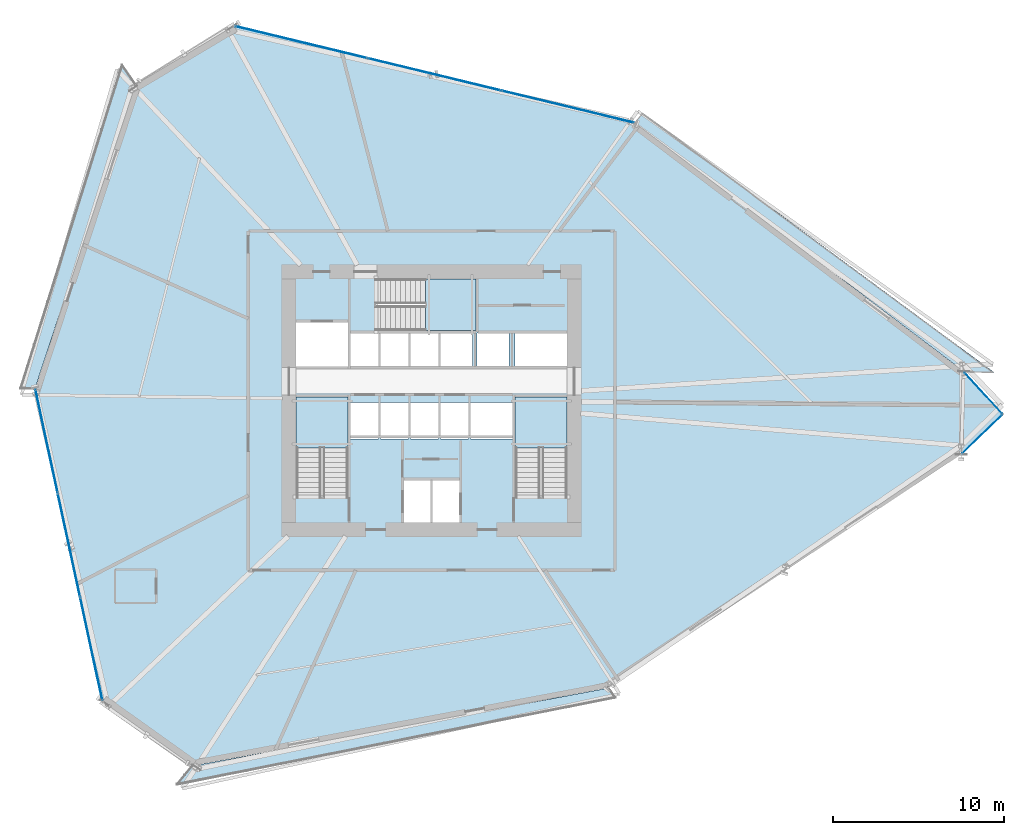
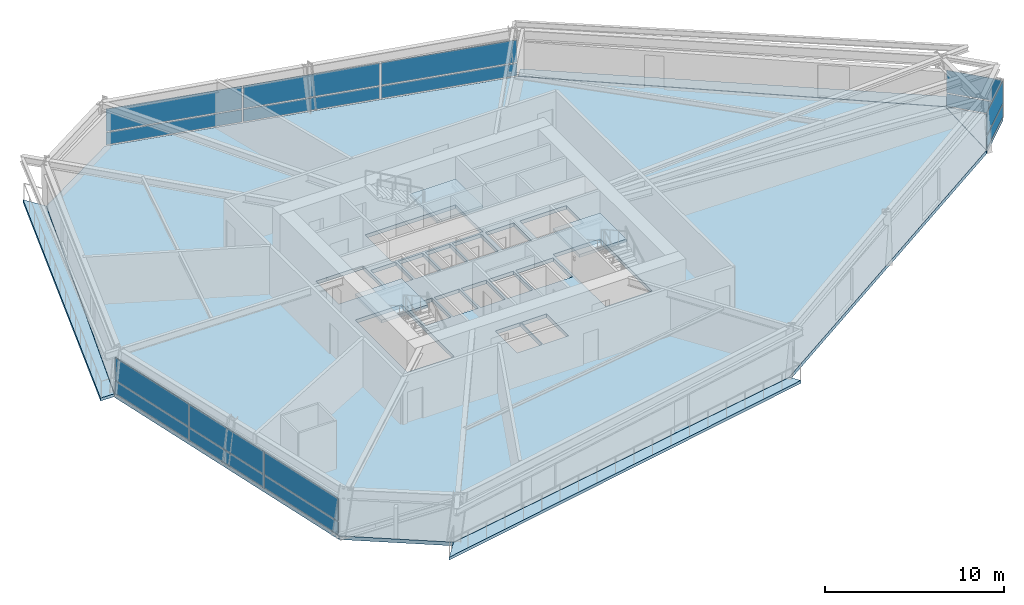
# One storey, part 14 of 24: 16 plates, 8 slabs, 7 elements without a shape of their own.
"""IFC4 building model written with IfcOpenShell, lengths in metres."""

from ifc_helpers import new_model, si_unit, direction, frame, origin, origin_2d, place, context, subcontext, project, spatial, polyline, rectangle, outline, extrude, source, transform, mapped, material, layer, layer_set, type_object, element, aggregate, save


model = new_model("IFC4")

# Units and contexts
model_context = context("Model", 3, precision=1e-05, world=origin(), true_north=direction((0.0, 1.0)))
body_context = subcontext(model_context, "Body", "Model", "MODEL_VIEW")
ifc_project = project(units=[si_unit("LENGTHUNIT", "METRE"), si_unit("AREAUNIT", "SQUARE_METRE"), si_unit("VOLUMEUNIT", "CUBIC_METRE"), si_unit("PLANEANGLEUNIT", "RADIAN"), si_unit("MASSUNIT", "GRAM", prefix="KILO")], contexts=[model_context])

# Site, building, storey
site_placement = place(None, origin())
site = spatial("IfcSite", under=ifc_project, at=site_placement, CompositionType="ELEMENT")
building_placement = place(site_placement, origin())
building = spatial("IfcBuilding", under=site, at=building_placement, Name="Olszyna Solenne Hotel", CompositionType="ELEMENT")
storey_placement = place(building_placement, frame((0.0, 0.0, 29.300048828125)))
storey = spatial("IfcBuildingStorey", under=building, at=storey_placement, Name="L06", CompositionType="ELEMENT", Elevation=29.300048828125)

# Stair, slab
ifc_material_1 = material(Name="Concrete C40/50", Category="concrete")
stair_type = type_object("IfcStairType", Name="STR-C1", PredefinedType="TWO_QUARTER_WINDING_STAIR", material=ifc_material_1)
stair_1_placement = place(storey_placement, origin())
stair_1 = element("IfcStair", 1, at=stair_1_placement, inside=storey, type_object=stair_type, Name="L06 ST1", PredefinedType="TWO_QUARTER_WINDING_STAIR")
ifc_layer_1 = layer(ifc_material_1, 0.18994140625, Name="Concrete C40/50")
ifc_layer_set_1 = layer_set([ifc_layer_1], Name="Concrete C40/50")
slab_type_1 = type_object("IfcSlabType", Name="SL-LN190", PredefinedType="LANDING", material=ifc_layer_set_1)
slab_1_placement = place(storey_placement, frame((0.0, 0.0, 1.574951171875)))
slab_1 = element("IfcSlab", 2, at=slab_1_placement, type_object=slab_type_1, Name="ST1 landing 1", PredefinedType="LANDING", context=body_context, shape_type="SweptSolid", body=[
    extrude(outline(polyline([(33.1201171875, 23.85009765625), (33.1201171875, 26.800048828125), (30.10009765625, 26.800048828125), (30.10009765625, 23.85009765625), (33.1201171875, 23.85009765625)])), origin(), (0.0, 0.0, 1.0), 0.199951171875),
])
aggregate(stair_1, [slab_1])

stair_2_placement = place(storey_placement, origin())
stair_2 = element("IfcStair", 3, at=stair_2_placement, inside=storey, type_object=stair_type, Name="L06 ST2", PredefinedType="TWO_QUARTER_WINDING_STAIR")
slab_2_placement = place(storey_placement, frame((0.0, 0.0, 1.574951171875)))
slab_2 = element("IfcSlab", 4, at=slab_2_placement, type_object=slab_type_1, Name="ST2 landing 1", PredefinedType="LANDING", context=body_context, shape_type="SweptSolid", body=[
    extrude(outline(polyline([(45.89990234375, 23.85009765625), (45.89990234375, 26.800048828125), (42.8798828125, 26.800048828125), (42.8798828125, 23.85009765625), (45.89990234375, 23.85009765625)])), origin(), (0.0, 0.0, 1.0), 0.199951171875),
])
aggregate(stair_2, [slab_2])

stair_3_placement = place(storey_placement, origin())
stair_3 = element("IfcStair", 5, at=stair_3_placement, inside=storey, type_object=stair_type, Name="L06 ST3", PredefinedType="TWO_QUARTER_WINDING_STAIR")
slab_3_placement = place(storey_placement, frame((0.0, 0.0, 1.574951171875)))
slab_3 = element("IfcSlab", 6, at=slab_3_placement, type_object=slab_type_1, Name="ST3 landing 1", PredefinedType="LANDING", context=body_context, shape_type="SweptSolid", body=[
    extrude(outline(polyline([(37.6298828125, 30.679931640625), (40.580078125, 30.679931640625), (40.580078125, 33.699951171875), (37.6298828125, 33.699951171875), (37.6298828125, 30.679931640625)])), origin(), (0.0, 0.0, 1.0), 0.199951171875),
])
aggregate(stair_3, [slab_3])

# Slabs
ifc_material_2 = material(Name="Precast concrete C45/55", Category="concrete")
ifc_layer_2 = layer(ifc_material_2, 0.199951171875, Name="Precast concrete C45/55")
ifc_layer_set_2 = layer_set([ifc_layer_2], Name="Precast concrete C45/55")
slab_type_2 = type_object("IfcSlabType", Name="SL-LOG200", PredefinedType="FLOOR", material=ifc_layer_set_2)
slab_4_placement = place(storey_placement, frame((0.0, 0.0, -0.199951171875)))
element("IfcSlab", 7, at=slab_4_placement, inside=storey, type_object=slab_type_2, Name="Exterior loggia balcony slab SL-L06-LG1", PredefinedType="FLOOR", context=body_context, shape_type="SweptSolid", body=[
    extrude(outline(polyline([(49.8642578125, 42.81689453125), (69.058837890625, 28.302734375), (69.059814453125, 28.302001953125), (69.060791015625, 28.301025390625), (69.070556640625, 28.290283203125), (70.830322265625, 28.247802734375), (50.330810546875, 43.380126953125), (49.8642578125, 42.81689453125)])), origin(), (0.0, 0.0, 1.0), 0.199951171875),
])
slab_5_placement = place(storey_placement, frame((0.0, 0.0, -0.199951171875)))
element("IfcSlab", 8, at=slab_5_placement, inside=storey, type_object=slab_type_2, Name="Exterior loggia balcony slab SL-L06-LG2", PredefinedType="FLOOR", context=body_context, shape_type="SweptSolid", body=[
    extrude(outline(polyline([(14.855712890625, 27.2998046875), (14.85595703125, 27.301025390625), (14.856201171875, 27.302734375), (14.856689453125, 27.30419921875), (20.70849609375, 45.044921875), (20.708984375, 45.04638671875), (20.709716796875, 45.0478515625), (20.71044921875, 45.049072265625), (20.71142578125, 45.05029296875), (20.71240234375, 45.051513671875), (20.713623046875, 45.05224609375), (20.714111328125, 45.052490234375), (19.894775390625, 46.23291015625), (13.980712890625, 27.32080078125), (14.855712890625, 27.2998046875)])), origin(), (0.0, 0.0, 1.0), 0.199951171875),
])
slab_6_placement = place(storey_placement, frame((0.0, 0.0, -0.199951171875)))
element("IfcSlab", 9, at=slab_6_placement, inside=storey, type_object=slab_type_2, Name="Exterior loggia balcony slab SL-L06-LG3", PredefinedType="FLOOR", context=body_context, shape_type="SweptSolid", body=[
    extrude(outline(polyline([(48.327392578125, 9.830078125), (48.326904296875, 9.830078125), (48.32568359375, 9.8291015625), (48.32421875, 9.82861328125), (48.322998046875, 9.828125), (48.321533203125, 9.827880859375), (24.050048828125, 5.28369140625), (24.048583984375, 5.283447265625), (24.047119140625, 5.283447265625), (24.04541015625, 5.283447265625), (24.0439453125, 5.28369140625), (24.04248046875, 5.2841796875), (24.041015625, 5.28466796875), (24.039794921875, 5.285400390625), (24.03857421875, 5.2861328125), (24.03759765625, 5.286865234375), (23.094482421875, 4.148681640625), (48.732666015625, 9.24609375), (48.327392578125, 9.830078125)])), origin(), (0.0, 0.0, 1.0), 0.199951171875),
])
ifc_material_3 = material(Name="Concrete C50/60", Category="concrete")
ifc_layer_3 = layer(ifc_material_3, 0.25, Name="Concrete C50/60")
ifc_layer_set_3 = layer_set([ifc_layer_3], Name="Concrete C50/60")
slab_type_3 = type_object("IfcSlabType", Name="SL-TW250", PredefinedType="FLOOR", material=ifc_layer_set_3)
slab_7_placement = place(storey_placement, frame((0.0, 0.0, -0.25)))
element("IfcSlab", 10, at=slab_7_placement, inside=storey, type_object=slab_type_3, Name="Floor slab SL-TW250 SL-L06-01", PredefinedType="FLOOR", context=body_context, shape_type="SweptSolid", body=[
    extrude(outline(polyline([(68.9111328125, 23.4697265625), (69.0498046875, 28.290771484375), (49.8544921875, 42.805419921875), (26.464111328125, 48.463134765625), (20.72265625, 45.040283203125), (14.870849609375, 27.299560546875), (18.80517578125, 9.03759765625), (24.047119140625, 5.29833984375), (48.318603515625, 9.842529296875), (68.9111328125, 23.4697265625)]), holes=[polyline([(30.10009765625, 20.949951171875), (33.1201171875, 20.949951171875), (33.1201171875, 26.800048828125), (30.10009765625, 26.800048828125), (30.10009765625, 20.949951171875)]), polyline([(42.8798828125, 20.949951171875), (45.89990234375, 20.949951171875), (45.89990234375, 26.800048828125), (42.8798828125, 26.800048828125), (42.8798828125, 20.949951171875)]), polyline([(34.72998046875, 30.679931640625), (40.580078125, 30.679931640625), (40.580078125, 33.699951171875), (34.72998046875, 33.699951171875), (34.72998046875, 30.679931640625)]), polyline([(36.340087890625, 19.5), (37.9599609375, 19.5), (37.9599609375, 21.9599609375), (36.340087890625, 21.9599609375), (36.340087890625, 19.5)]), polyline([(38.0400390625, 19.5), (39.659912109375, 19.5), (39.659912109375, 21.9599609375), (38.0400390625, 21.9599609375), (38.0400390625, 19.5)]), polyline([(30.10009765625, 28.60009765625), (33.1201171875, 28.60009765625), (33.1201171875, 31.159912109375), (30.10009765625, 31.159912109375), (30.10009765625, 28.60009765625)]), polyline([(33.280029296875, 24.360107421875), (34.89990234375, 24.360107421875), (34.89990234375, 26.5), (33.280029296875, 26.5), (33.280029296875, 24.360107421875)]), polyline([(35.030029296875, 24.360107421875), (36.64990234375, 24.360107421875), (36.64990234375, 26.5), (35.030029296875, 26.5), (35.030029296875, 24.360107421875)]), polyline([(36.780029296875, 24.360107421875), (38.39990234375, 24.360107421875), (38.39990234375, 26.5), (36.780029296875, 26.5), (36.780029296875, 24.360107421875)]), polyline([(38.530029296875, 24.360107421875), (40.14990234375, 24.360107421875), (40.14990234375, 26.5), (38.530029296875, 26.5), (38.530029296875, 24.360107421875)]), polyline([(40.280029296875, 24.360107421875), (42.719970703125, 24.360107421875), (42.719970703125, 26.5), (40.280029296875, 26.5), (40.280029296875, 24.360107421875)]), polyline([(33.280029296875, 28.60009765625), (34.89990234375, 28.60009765625), (34.89990234375, 30.550048828125), (33.280029296875, 30.550048828125), (33.280029296875, 28.60009765625)]), polyline([(35.030029296875, 28.60009765625), (36.64990234375, 28.60009765625), (36.64990234375, 30.550048828125), (35.030029296875, 30.550048828125), (35.030029296875, 28.60009765625)]), polyline([(36.780029296875, 28.60009765625), (38.39990234375, 28.60009765625), (38.39990234375, 30.550048828125), (36.780029296875, 30.550048828125), (36.780029296875, 28.60009765625)]), polyline([(38.530029296875, 28.60009765625), (40.389892578125, 28.60009765625), (40.389892578125, 30.550048828125), (38.530029296875, 30.550048828125), (38.530029296875, 28.60009765625)]), polyline([(40.659912109375, 28.60009765625), (42.52001953125, 28.60009765625), (42.52001953125, 30.550048828125), (40.659912109375, 30.550048828125), (40.659912109375, 28.60009765625)]), polyline([(42.8798828125, 28.60009765625), (45.89990234375, 28.60009765625), (45.89990234375, 30.550048828125), (42.8798828125, 30.550048828125), (42.8798828125, 28.60009765625)])]), origin(), (0.0, 0.0, 1.0), 0.25),
])
slab_8_placement = place(storey_placement, frame((0.0, 0.0, -0.25)))
element("IfcSlab", 11, at=slab_8_placement, inside=storey, type_object=slab_type_3, Name="Faceted glass-prism floor slab SL-L06-PR", PredefinedType="FLOOR", context=body_context, shape_type="SweptSolid", body=[
    extrude(outline(polyline([(69.0595703125, 28.2802734375), (68.92138671875, 23.479736328125), (71.32958984375, 25.812744140625), (69.0595703125, 28.2802734375)])), origin(), (0.0, 0.0, 1.0), 0.25),
])

# Curtain wall, plates
ifc_material_4 = material(Name="Anodised bronze aluminium", Category="aluminium")
curtain_wall_type_1 = type_object("IfcCurtainWallType", Name="CW-SYS-2", PredefinedType="NOTDEFINED", material=ifc_material_4)
curtain_wall_1_placement = place(storey_placement, origin())
curtain_wall_1 = element("IfcCurtainWall", 12, at=curtain_wall_1_placement, inside=storey, type_object=curtain_wall_type_1, Name="Unitised curtain wall CW-SYS-2 CW-L06-01", PredefinedType="NOTDEFINED")
ifc_material_5 = material(Name="Terracotta cladding", Category="masonry")
plate_type_1 = type_object("IfcPlateType", Name="PN-SP1", PredefinedType="CURTAIN_PANEL", material=ifc_material_5)
shared_shape_1 = source(origin(), body_context, "Body", "SweptSolid", [
    extrude(rectangle(XDim=6.114501953125, YDim=0.035888671875, at=origin_2d()), origin(), (0.0, 0.0, 1.0), 0.83740234375),
])
plate_1_placement = place(storey_placement, frame((15.530517578125, 24.237548828125, 0.074951171875), z_axis=(0.0, 0.0, 1.0), x_axis=(0.21060959381, -0.977570252716, 0.0)))
plate_1 = element("IfcPlate", 13, at=plate_1_placement, type_object=plate_type_1, Name="Curtain-wall panel PN-SP1 CP-L06-01-01", PredefinedType="CURTAIN_PANEL", context=body_context, shape_type="MappedRepresentation", body=[
    mapped(shared_shape_1, transform((0.0, 0.0, 0.0), x_axis=(1.0, 0.0, 0.0), y_axis=(0.0, 1.0, 0.0), z_axis=(0.0, 0.0, 1.0), scale=1.0)),
])
plate_2_placement = place(storey_placement, frame((18.1455078125, 12.099609375, 0.074951171875), z_axis=(0.0, 0.0, 1.0), x_axis=(0.21060959381, -0.977570252716, 0.0)))
plate_2 = element("IfcPlate", 14, at=plate_2_placement, type_object=plate_type_1, Name="Curtain-wall panel PN-SP1 CP-L06-01-05", PredefinedType="CURTAIN_PANEL", context=body_context, shape_type="MappedRepresentation", body=[
    mapped(shared_shape_1, transform((0.0, 0.0, 0.0), x_axis=(1.0, 0.0, 0.0), y_axis=(0.0, 1.0, 0.0), z_axis=(0.0, 0.0, 1.0), scale=1.0)),
])
ifc_material_6 = material(Name="Low-E triple glazing", Category="glass")
plate_type_2 = type_object("IfcPlateType", Name="PN-GL1", PredefinedType="CURTAIN_PANEL", material=ifc_material_6)
shared_shape_2 = source(origin(), body_context, "Body", "SweptSolid", [
    extrude(rectangle(XDim=6.114501953125, YDim=0.035888671875, at=origin_2d()), origin(), (0.0, 0.0, 1.0), 1.529541015625),
])
plate_3_placement = place(storey_placement, frame((15.530517578125, 24.237548828125, 0.9873046875), z_axis=(0.0, 0.0, 1.0), x_axis=(0.21060959381, -0.977570252716, 0.0)))
plate_3 = element("IfcPlate", 15, at=plate_3_placement, type_object=plate_type_2, Name="Curtain-wall panel PN-GL1 CP-L06-01-02", PredefinedType="CURTAIN_PANEL", context=body_context, shape_type="MappedRepresentation", body=[
    mapped(shared_shape_2, transform((0.0, 0.0, 0.0), x_axis=(1.0, 0.0, 0.0), y_axis=(0.0, 1.0, 0.0), z_axis=(0.0, 0.0, 1.0), scale=1.0)),
])
plate_4_placement = place(storey_placement, frame((18.1455078125, 12.099609375, 0.9873046875), z_axis=(0.0, 0.0, 1.0), x_axis=(0.21060959381, -0.977570252716, 0.0)))
plate_4 = element("IfcPlate", 16, at=plate_4_placement, type_object=plate_type_2, Name="Curtain-wall panel PN-GL1 CP-L06-01-06", PredefinedType="CURTAIN_PANEL", context=body_context, shape_type="MappedRepresentation", body=[
    mapped(shared_shape_2, transform((0.0, 0.0, 0.0), x_axis=(1.0, 0.0, 0.0), y_axis=(0.0, 1.0, 0.0), z_axis=(0.0, 0.0, 1.0), scale=1.0)),
])
shared_shape_3 = source(origin(), body_context, "Body", "SweptSolid", [
    extrude(rectangle(XDim=6.152099609375, YDim=0.035888671875, at=origin_2d()), origin(), (0.0, 0.0, 1.0), 0.83740234375),
])
plate_5_placement = place(storey_placement, frame((16.837890625, 18.16845703125, 0.074951171875), z_axis=(0.0, 0.0, 1.0), x_axis=(0.21060959381, -0.977570252716, 0.0)))
plate_5 = element("IfcPlate", 17, at=plate_5_placement, type_object=plate_type_1, Name="Curtain-wall panel PN-SP1 CP-L06-01-03", PredefinedType="CURTAIN_PANEL", context=body_context, shape_type="MappedRepresentation", body=[
    mapped(shared_shape_3, transform((0.0, 0.0, 0.0), x_axis=(1.0, 0.0, 0.0), y_axis=(0.0, 1.0, 0.0), z_axis=(0.0, 0.0, 1.0), scale=1.0)),
])
shared_shape_4 = source(origin(), body_context, "Body", "SweptSolid", [
    extrude(rectangle(XDim=6.152099609375, YDim=0.035888671875, at=origin_2d()), origin(), (0.0, 0.0, 1.0), 1.529541015625),
])
plate_6_placement = place(storey_placement, frame((16.837890625, 18.16845703125, 0.9873046875), z_axis=(0.0, 0.0, 1.0), x_axis=(0.21060959381, -0.977570252716, 0.0)))
plate_6 = element("IfcPlate", 18, at=plate_6_placement, type_object=plate_type_2, Name="Curtain-wall panel PN-GL1 CP-L06-01-04", PredefinedType="CURTAIN_PANEL", context=body_context, shape_type="MappedRepresentation", body=[
    mapped(shared_shape_4, transform((0.0, 0.0, 0.0), x_axis=(1.0, 0.0, 0.0), y_axis=(0.0, 1.0, 0.0), z_axis=(0.0, 0.0, 1.0), scale=1.0)),
])
aggregate(curtain_wall_1, [plate_1, plate_3, plate_5, plate_6, plate_2, plate_4])

curtain_wall_2_placement = place(storey_placement, origin())
curtain_wall_2 = element("IfcCurtainWall", 19, at=curtain_wall_2_placement, inside=storey, type_object=curtain_wall_type_1, Name="Unitised curtain wall CW-SYS-2 CW-L06-02", PredefinedType="NOTDEFINED")
shared_shape_5 = source(origin(), body_context, "Body", "SweptSolid", [
    extrude(rectangle(XDim=7.9091796875, YDim=0.035888671875, at=origin_2d()), origin(), (0.0, 0.0, 1.0), 0.83740234375),
])
plate_7_placement = place(storey_placement, frame((30.380859375, 47.515869140625, 0.074951171875), z_axis=(0.0, 0.0, 1.0), x_axis=(0.971969143731, -0.235108450794, 0.0)))
plate_7 = element("IfcPlate", 20, at=plate_7_placement, type_object=plate_type_1, Name="Curtain-wall panel PN-SP1 CP-L06-02-01", PredefinedType="CURTAIN_PANEL", context=body_context, shape_type="MappedRepresentation", body=[
    mapped(shared_shape_5, transform((0.0, 0.0, 0.0), x_axis=(1.0, 0.0, 0.0), y_axis=(0.0, 1.0, 0.0), z_axis=(0.0, 0.0, 1.0), scale=1.0)),
])
plate_8_placement = place(storey_placement, frame((45.93798828125, 43.752685546875, 0.074951171875), z_axis=(0.0, 0.0, 1.0), x_axis=(0.971969143731, -0.235108450794, 0.0)))
plate_8 = element("IfcPlate", 21, at=plate_8_placement, type_object=plate_type_1, Name="Curtain-wall panel PN-SP1 CP-L06-02-05", PredefinedType="CURTAIN_PANEL", context=body_context, shape_type="MappedRepresentation", body=[
    mapped(shared_shape_5, transform((0.0, 0.0, 0.0), x_axis=(1.0, 0.0, 0.0), y_axis=(0.0, 1.0, 0.0), z_axis=(0.0, 0.0, 1.0), scale=1.0)),
])
shared_shape_6 = source(origin(), body_context, "Body", "SweptSolid", [
    extrude(rectangle(XDim=7.9091796875, YDim=0.035888671875, at=origin_2d()), origin(), (0.0, 0.0, 1.0), 1.529541015625),
])
plate_9_placement = place(storey_placement, frame((30.380859375, 47.515869140625, 0.9873046875), z_axis=(0.0, 0.0, 1.0), x_axis=(0.971969143731, -0.235108450794, 0.0)))
plate_9 = element("IfcPlate", 22, at=plate_9_placement, type_object=plate_type_2, Name="Curtain-wall panel PN-GL1 CP-L06-02-02", PredefinedType="CURTAIN_PANEL", context=body_context, shape_type="MappedRepresentation", body=[
    mapped(shared_shape_6, transform((0.0, 0.0, 0.0), x_axis=(1.0, 0.0, 0.0), y_axis=(0.0, 1.0, 0.0), z_axis=(0.0, 0.0, 1.0), scale=1.0)),
])
plate_10_placement = place(storey_placement, frame((45.93798828125, 43.752685546875, 0.9873046875), z_axis=(0.0, 0.0, 1.0), x_axis=(0.971969143731, -0.235108450794, 0.0)))
plate_10 = element("IfcPlate", 23, at=plate_10_placement, type_object=plate_type_2, Name="Curtain-wall panel PN-GL1 CP-L06-02-06", PredefinedType="CURTAIN_PANEL", context=body_context, shape_type="MappedRepresentation", body=[
    mapped(shared_shape_6, transform((0.0, 0.0, 0.0), x_axis=(1.0, 0.0, 0.0), y_axis=(0.0, 1.0, 0.0), z_axis=(0.0, 0.0, 1.0), scale=1.0)),
])
shared_shape_7 = source(origin(), body_context, "Body", "SweptSolid", [
    extrude(rectangle(XDim=7.94677734375, YDim=0.035888671875, at=origin_2d()), origin(), (0.0, 0.0, 1.0), 0.83740234375),
])
plate_11_placement = place(storey_placement, frame((38.159423828125, 45.63427734375, 0.074951171875), z_axis=(0.0, 0.0, 1.0), x_axis=(0.971969143731, -0.235108450794, 0.0)))
plate_11 = element("IfcPlate", 24, at=plate_11_placement, type_object=plate_type_1, Name="Curtain-wall panel PN-SP1 CP-L06-02-03", PredefinedType="CURTAIN_PANEL", context=body_context, shape_type="MappedRepresentation", body=[
    mapped(shared_shape_7, transform((0.0, 0.0, 0.0), x_axis=(1.0, 0.0, 0.0), y_axis=(0.0, 1.0, 0.0), z_axis=(0.0, 0.0, 1.0), scale=1.0)),
])
shared_shape_8 = source(origin(), body_context, "Body", "SweptSolid", [
    extrude(rectangle(XDim=7.94677734375, YDim=0.035888671875, at=origin_2d()), origin(), (0.0, 0.0, 1.0), 1.529541015625),
])
plate_12_placement = place(storey_placement, frame((38.159423828125, 45.63427734375, 0.9873046875), z_axis=(0.0, 0.0, 1.0), x_axis=(0.971969143731, -0.235108450794, 0.0)))
plate_12 = element("IfcPlate", 25, at=plate_12_placement, type_object=plate_type_2, Name="Curtain-wall panel PN-GL1 CP-L06-02-04", PredefinedType="CURTAIN_PANEL", context=body_context, shape_type="MappedRepresentation", body=[
    mapped(shared_shape_8, transform((0.0, 0.0, 0.0), x_axis=(1.0, 0.0, 0.0), y_axis=(0.0, 1.0, 0.0), z_axis=(0.0, 0.0, 1.0), scale=1.0)),
])
aggregate(curtain_wall_2, [plate_7, plate_9, plate_11, plate_12, plate_8, plate_10])

# Curtain wall, plate
curtain_wall_type_2 = type_object("IfcCurtainWallType", Name="CW-SYS-5", PredefinedType="NOTDEFINED", material=ifc_material_4)
curtain_wall_3_placement = place(storey_placement, origin())
curtain_wall_3 = element("IfcCurtainWall", 26, at=curtain_wall_3_placement, inside=storey, type_object=curtain_wall_type_2, Name="Unitised curtain wall CW-SYS-5 CW-L06-03", PredefinedType="NOTDEFINED")
plate_type_3 = type_object("IfcPlateType", Name="PN-PR1", PredefinedType="CURTAIN_PANEL", material=ifc_material_6)
shared_shape_9 = source(origin(), body_context, "Body", "SweptSolid", [
    extrude(rectangle(XDim=3.21728515625, YDim=0.028076171875, at=origin_2d()), origin(), (0.0, 0.0, 1.0), 0.83740234375),
])
plate_13_placement = place(storey_placement, frame((70.189697265625, 27.0517578125, 0.074951171875), z_axis=(0.0, 0.0, 1.0), x_axis=(0.677032082115, -0.735953503821, 0.0)))
plate_13 = element("IfcPlate", 27, at=plate_13_placement, type_object=plate_type_3, Name="Curtain-wall panel PN-PR1 CP-L06-03-01", PredefinedType="CURTAIN_PANEL", context=body_context, shape_type="MappedRepresentation", body=[
    mapped(shared_shape_9, transform((0.0, 0.0, 0.0), x_axis=(1.0, 0.0, 0.0), y_axis=(0.0, 1.0, 0.0), z_axis=(0.0, 0.0, 1.0), scale=1.0)),
])

curtain_wall_4_placement = place(storey_placement, origin())
curtain_wall_4 = element("IfcCurtainWall", 28, at=curtain_wall_4_placement, inside=storey, type_object=curtain_wall_type_2, Name="Unitised curtain wall CW-SYS-5 CW-L06-04", PredefinedType="NOTDEFINED")
plate_14_placement = place(storey_placement, frame((70.120361328125, 24.641357421875, 0.074951171875), z_axis=(0.0, 0.0, 1.0), x_axis=(0.718229091362, 0.695806706149, 0.0)))
plate_14 = element("IfcPlate", 29, at=plate_14_placement, type_object=plate_type_3, Name="Curtain-wall panel PN-PR1 CP-L06-04-01", PredefinedType="CURTAIN_PANEL", context=body_context, shape_type="MappedRepresentation", body=[
    mapped(shared_shape_9, transform((0.0, 0.0, 0.0), x_axis=(1.0, 0.0, 0.0), y_axis=(0.0, 1.0, 0.0), z_axis=(0.0, 0.0, 1.0), scale=1.0)),
])

# Plate
shared_shape_10 = source(origin(), body_context, "Body", "SweptSolid", [
    extrude(rectangle(XDim=3.21728515625, YDim=0.028076171875, at=origin_2d()), origin(), (0.0, 0.0, 1.0), 1.529541015625),
])
plate_15_placement = place(storey_placement, frame((70.189697265625, 27.0517578125, 0.9873046875), z_axis=(0.0, 0.0, 1.0), x_axis=(0.677032082115, -0.735953503821, 0.0)))
plate_15 = element("IfcPlate", 30, at=plate_15_placement, type_object=plate_type_3, Name="Curtain-wall panel PN-PR1 CP-L06-03-02", PredefinedType="CURTAIN_PANEL", context=body_context, shape_type="MappedRepresentation", body=[
    mapped(shared_shape_10, transform((0.0, 0.0, 0.0), x_axis=(1.0, 0.0, 0.0), y_axis=(0.0, 1.0, 0.0), z_axis=(0.0, 0.0, 1.0), scale=1.0)),
])

aggregate(curtain_wall_3, [plate_13, plate_15])

plate_16_placement = place(storey_placement, frame((70.120361328125, 24.641357421875, 0.9873046875), z_axis=(0.0, 0.0, 1.0), x_axis=(0.718229091362, 0.695806706149, 0.0)))
plate_16 = element("IfcPlate", 31, at=plate_16_placement, type_object=plate_type_3, Name="Curtain-wall panel PN-PR1 CP-L06-04-02", PredefinedType="CURTAIN_PANEL", context=body_context, shape_type="MappedRepresentation", body=[
    mapped(shared_shape_10, transform((0.0, 0.0, 0.0), x_axis=(1.0, 0.0, 0.0), y_axis=(0.0, 1.0, 0.0), z_axis=(0.0, 0.0, 1.0), scale=1.0)),
])

aggregate(curtain_wall_4, [plate_14, plate_16])

save(model, "model.ifc")
